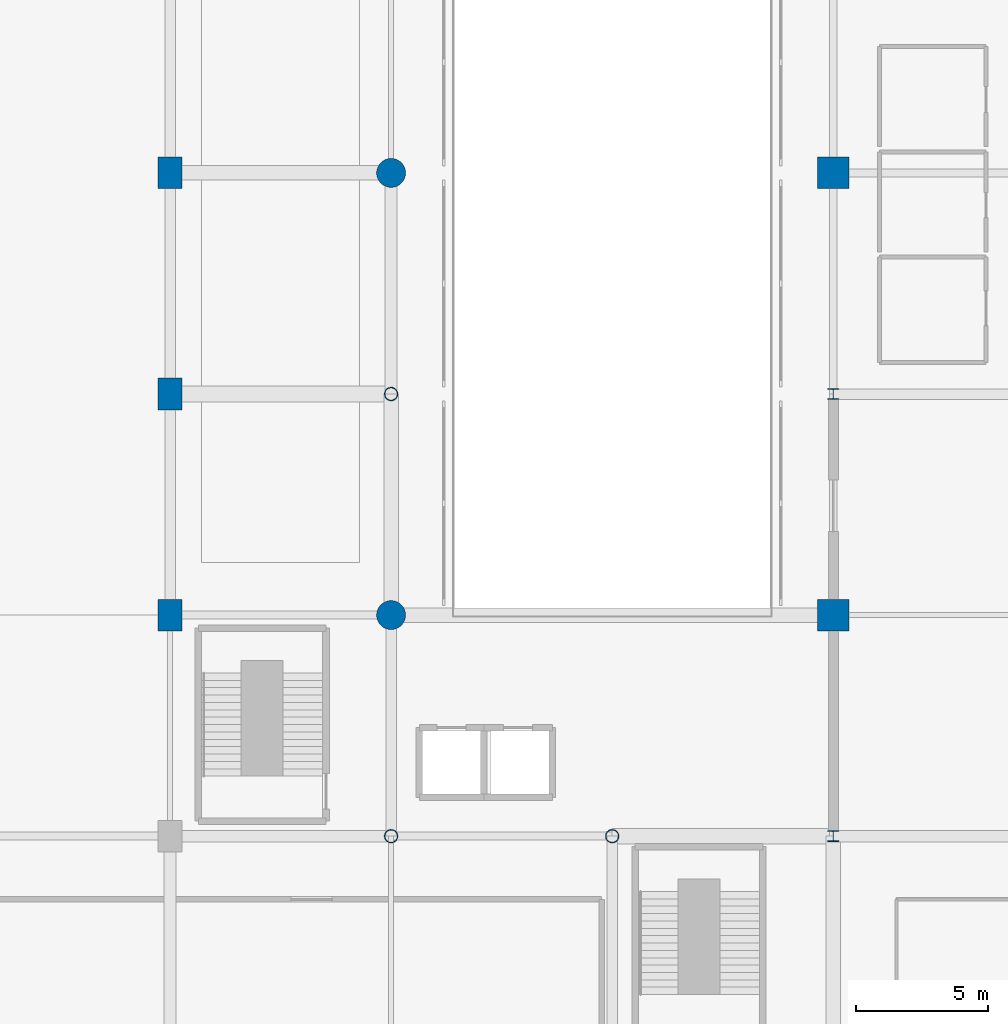
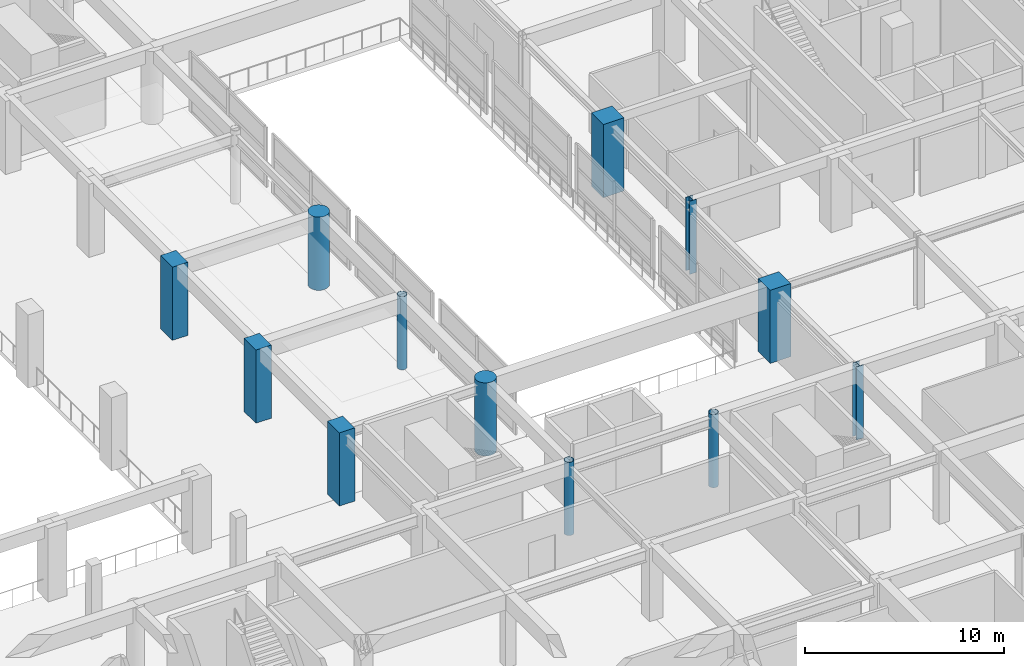
# One storey, part 2 of 65: 12 columns.
"""IFC4 building model written with IfcOpenShell, lengths in metres."""

from ifc_helpers import new_model, si_unit, direction, frame, origin, origin_2d, place, context, subcontext, project, spatial, rectangle, circle, hollow_circle, i_section, extrude, material, material_profile, profile_set, type_object, element, save


model = new_model("IFC4")

# Units and contexts
model_context = context("Model", 3, precision=1e-05, world=origin(), true_north=direction((0.0, 1.0)))
body_context = subcontext(model_context, "Body", "Model", "MODEL_VIEW")
ifc_project = project(units=[si_unit("LENGTHUNIT", "METRE"), si_unit("AREAUNIT", "SQUARE_METRE"), si_unit("VOLUMEUNIT", "CUBIC_METRE"), si_unit("PLANEANGLEUNIT", "RADIAN"), si_unit("MASSUNIT", "GRAM", prefix="KILO")], contexts=[model_context])

# Site, building, storey
site_placement = place(None, origin())
site = spatial("IfcSite", under=ifc_project, at=site_placement, CompositionType="ELEMENT")
building_placement = place(site_placement, origin())
building = spatial("IfcBuilding", under=site, at=building_placement, Name="Xuanlan Plaza Opera House", CompositionType="ELEMENT")
storey_placement = place(building_placement, frame((0.0, 0.0, 5.39990234375)))
storey = spatial("IfcBuildingStorey", under=building, at=storey_placement, Name="L01", CompositionType="ELEMENT", Elevation=5.39990234375)

# Columns
ifc_material_1 = material(Name="Concrete C60", Category="concrete")
ifc_material_profile_1 = material_profile(ifc_material_1, rectangle(XDim=1.199951171875, YDim=1.199951171875, at=origin_2d()), Name="RC-COL 1200x1200")
ifc_profile_set_1 = profile_set([ifc_material_profile_1], Name="Concrete C60")
column_type_1 = type_object("IfcColumnType", Name="STR-COL-C-02", PredefinedType="COLUMN", material=ifc_profile_set_1)
for number, where, z_axis, x_axis, name in (
    (1, (126.0, 42.0, 0.0), (0.0, 0.0, 1.0), (1.0, 0.0, 0.0), "Column L01 16-F"),
    (2, (126.0, 58.800048828125, 0.0), (0.0, 0.0, 1.0), (1.0, 0.0, 0.0), "Column L01 16-H"),
):
    element("IfcColumn", number, at=place(storey_placement, frame(where, z_axis=z_axis, x_axis=x_axis)), inside=storey, type_object=column_type_1, Name=name, PredefinedType="COLUMN", context=body_context, shape_type="SweptSolid", body=[
        extrude(rectangle(XDim=1.199951171875, YDim=1.199951171875, at=origin_2d()), origin(), (0.0, 0.0, 1.0), 4.5),
    ])
ifc_material_2 = material(Name="Concrete C50", Category="concrete")
ifc_material_profile_2 = material_profile(ifc_material_2, rectangle(XDim=0.89990234375, YDim=1.199951171875, at=origin_2d()), Name="RC-COL 900x1200")
ifc_profile_set_2 = profile_set([ifc_material_profile_2], Name="Concrete C50")
column_type_2 = type_object("IfcColumnType", Name="STR-COL-C-10", PredefinedType="COLUMN", material=ifc_profile_set_2)
for number, where, z_axis, x_axis, name in (
    (3, (100.800048828125, 42.0, 0.0), (0.0, 0.0, 1.0), (1.0, 0.0, 0.0), "Column L01 13-F"),
    (4, (100.800048828125, 50.39990234375, 0.0), (0.0, 0.0, 1.0), (1.0, 0.0, 0.0), "Column L01 13-G"),
    (5, (100.800048828125, 58.800048828125, 0.0), (0.0, 0.0, 1.0), (1.0, 0.0, 0.0), "Column L01 13-H"),
):
    element("IfcColumn", number, at=place(storey_placement, frame(where, z_axis=z_axis, x_axis=x_axis)), inside=storey, type_object=column_type_2, Name=name, PredefinedType="COLUMN", context=body_context, shape_type="SweptSolid", body=[
        extrude(rectangle(XDim=0.89990234375, YDim=1.199951171875, at=origin_2d()), origin(), (0.0, 0.0, 1.0), 4.5),
    ])
ifc_material_profile_3 = material_profile(ifc_material_2, circle(Radius=0.550048828125, at=origin_2d()), Name="RC-COL D1100")
ifc_profile_set_3 = profile_set([ifc_material_profile_3], Name="Concrete C50")
column_type_3 = type_object("IfcColumnType", Name="STR-COL-C-11", PredefinedType="COLUMN", material=ifc_profile_set_3)
for number, where, z_axis, x_axis, name in (
    (6, (109.199951171875, 42.0, 0.0), (0.0, 0.0, 1.0), (1.0, 0.0, 0.0), "Column L01 14-F"),
    (7, (109.199951171875, 58.800048828125, 0.0), (0.0, 0.0, 1.0), (1.0, 0.0, 0.0), "Column L01 14-H"),
):
    element("IfcColumn", number, at=place(storey_placement, frame(where, z_axis=z_axis, x_axis=x_axis)), inside=storey, type_object=column_type_3, Name=name, PredefinedType="COLUMN", context=body_context, shape_type="SweptSolid", body=[
        extrude(circle(Radius=0.550048828125, at=origin_2d()), origin(), (0.0, 0.0, 1.0), 4.5),
    ])
ifc_material_3 = material(Name="Steel Q390B", Category="steel")
ifc_material_profile_4 = material_profile(ifc_material_3, i_section(OverallWidth=0.405029296875, OverallDepth=0.4140625, WebThickness=0.01806640625, FlangeThickness=0.028076171875, FilletRadius=0.02197265625, at=origin_2d()), Name="HW 414x405x18x28")
ifc_profile_set_4 = profile_set([ifc_material_profile_4], Name="Steel Q390B")
column_type_4 = type_object("IfcColumnType", Name="STR-COL-C-13", PredefinedType="COLUMN", material=ifc_profile_set_4)
for number, where, z_axis, x_axis, name in (
    (8, (126.0, 33.60009765625, 0.0), (0.0, 0.0, 1.0), (1.0, 0.0, 0.0), "Column L01 16-E"),
    (9, (126.0, 50.39990234375, 0.0), (0.0, 0.0, 1.0), (1.0, 0.0, 0.0), "Column L01 16-G"),
):
    element("IfcColumn", number, at=place(storey_placement, frame(where, z_axis=z_axis, x_axis=x_axis)), inside=storey, type_object=column_type_4, Name=name, PredefinedType="COLUMN", context=body_context, shape_type="SweptSolid", body=[
        extrude(i_section(OverallWidth=0.405029296875, OverallDepth=0.4140625, WebThickness=0.01806640625, FlangeThickness=0.028076171875, FilletRadius=0.02197265625, at=origin_2d()), origin(), (0.0, 0.0, 1.0), 4.5),
    ])
ifc_material_4 = material(Name="Steel Q355B", Category="steel")
ifc_material_profile_5 = material_profile(ifc_material_4, hollow_circle(Radius=0.25390625, WallThickness=0.02001953125, at=origin_2d()), Name="CHS 508x20")
ifc_profile_set_5 = profile_set([ifc_material_profile_5], Name="Steel Q355B")
column_type_5 = type_object("IfcColumnType", Name="STR-COL-C-16", PredefinedType="COLUMN", material=ifc_profile_set_5)
for number, where, z_axis, x_axis, name in (
    (10, (109.199951171875, 33.60009765625, 0.0), (0.0, 0.0, 1.0), (1.0, 0.0, 0.0), "Column L01 14-E"),
    (11, (109.199951171875, 50.39990234375, 0.0), (0.0, 0.0, 1.0), (1.0, 0.0, 0.0), "Column L01 14-G"),
    (12, (117.60009765625, 33.60009765625, 0.0), (0.0, 0.0, 1.0), (1.0, 0.0, 0.0), "Column L01 15-E"),
):
    element("IfcColumn", number, at=place(storey_placement, frame(where, z_axis=z_axis, x_axis=x_axis)), inside=storey, type_object=column_type_5, Name=name, PredefinedType="COLUMN", context=body_context, shape_type="SweptSolid", body=[
        extrude(hollow_circle(Radius=0.25390625, WallThickness=0.02001953125, at=origin_2d()), origin(), (0.0, 0.0, 1.0), 4.5),
    ])

save(model, "model.ifc")
